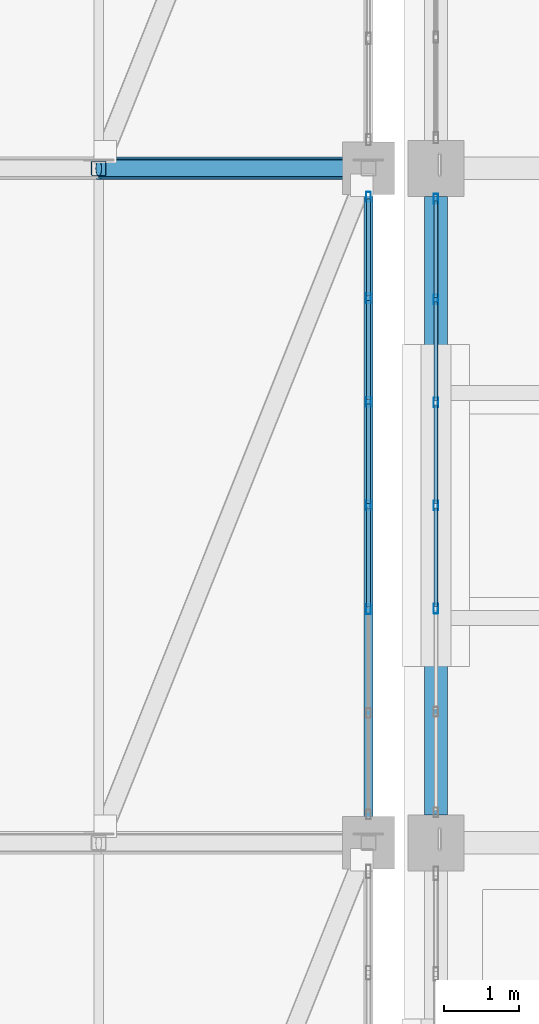
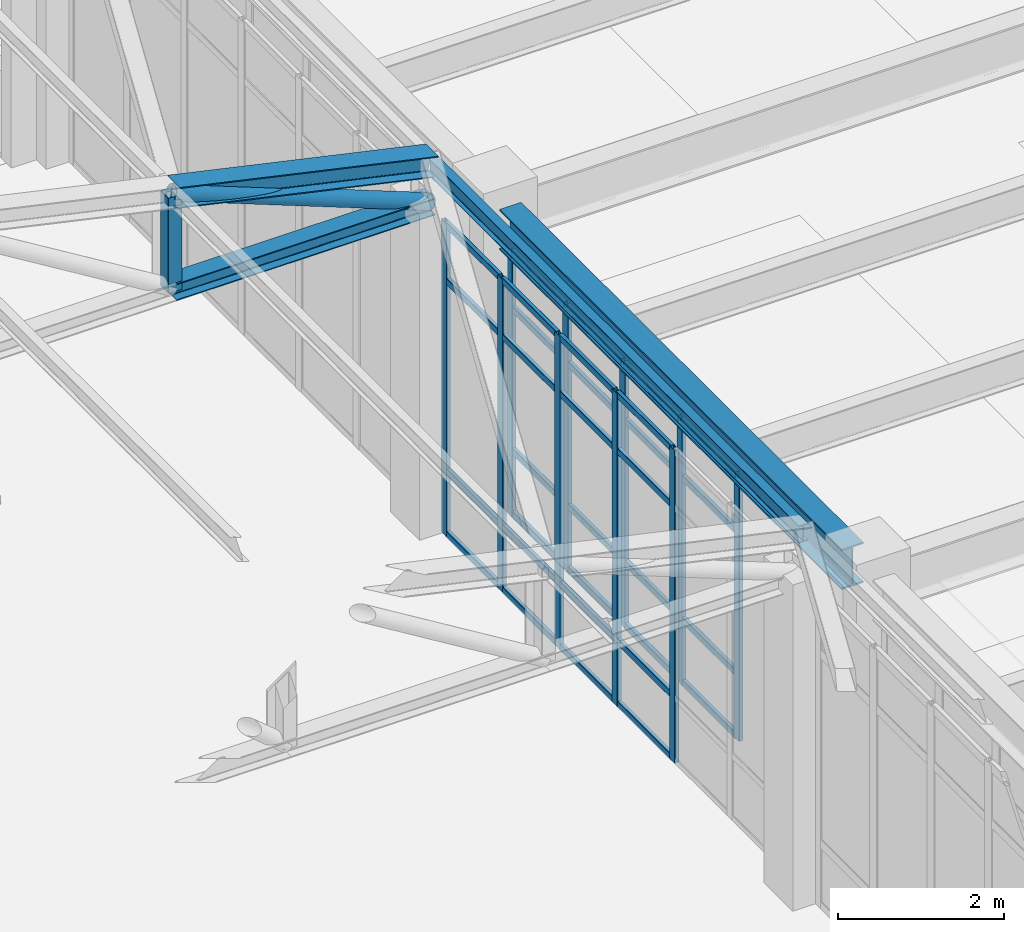
# One storey, part 49 of 139: 46 members, 2 beams, 2 elements without a shape of their own.
"""IFC4 building model written with IfcOpenShell, lengths in metres."""

from ifc_helpers import new_model, si_unit, direction, frame, origin, origin_2d, place, context, subcontext, project, spatial, hollow_rectangle, hollow_circle, i_section, extrude, material, material_profile, profile_set, type_object, element, aggregate, save


model = new_model("IFC4")

# Units and contexts
model_context = context("Model", 3, precision=1e-05, world=origin(), true_north=direction((0.0, 1.0)))
body_context = subcontext(model_context, "Body", "Model", "MODEL_VIEW")
ifc_project = project(units=[si_unit("LENGTHUNIT", "METRE"), si_unit("AREAUNIT", "SQUARE_METRE"), si_unit("VOLUMEUNIT", "CUBIC_METRE"), si_unit("PLANEANGLEUNIT", "RADIAN"), si_unit("MASSUNIT", "GRAM", prefix="KILO")], contexts=[model_context])

# Site, building, storey
site_placement = place(None, origin())
site = spatial("IfcSite", under=ifc_project, at=site_placement, CompositionType="ELEMENT")
building_placement = place(site_placement, origin())
building = spatial("IfcBuilding", under=site, at=building_placement, Name="Canglan Escarpment Cableway Terminal", CompositionType="ELEMENT")
storey_placement = place(building_placement, frame((0.0, 0.0, 14.39990234375)))
storey = spatial("IfcBuildingStorey", under=building, at=storey_placement, Name="L03", CompositionType="ELEMENT", Elevation=14.39990234375)

# Beams
ifc_material_1 = material(Name="Steel Q355C", Category="steel")
ifc_material_profile_1 = material_profile(ifc_material_1, i_section(OverallWidth=0.302001953125, OverallDepth=0.593994140625, WebThickness=0.013916015625, FlangeThickness=0.02294921875, FilletRadius=0.028076171875, at=origin_2d()), Name="HM 594x302x14x23")
ifc_profile_set_1 = profile_set([ifc_material_profile_1], Name="Steel Q355C")
beam_type_1 = type_object("IfcBeamType", Name="BM-HM594", PredefinedType="BEAM", material=ifc_profile_set_1)
beam_1_placement = place(storey_placement, frame((137.60009765625, 61.375, 4.203125), z_axis=(0.0, 1.0, 0.0), x_axis=(-1.0, 0.0, 0.0)))
element("IfcBeam", 1, at=beam_1_placement, inside=storey, type_object=beam_type_1, Name="Primary transverse girder B-07", PredefinedType="BEAM", context=body_context, shape_type="SweptSolid", body=[
    extrude(i_section(OverallWidth=0.302001953125, OverallDepth=0.593994140625, WebThickness=0.013916015625, FlangeThickness=0.02294921875, FilletRadius=0.028076171875, at=origin_2d()), origin(), (0.0, 0.0, 1.0), 8.25),
])
ifc_material_2 = material(Name="Steel Q355B", Category="steel")
ifc_material_profile_2 = material_profile(ifc_material_2, i_section(OverallWidth=0.300048828125, OverallDepth=0.300048828125, WebThickness=0.010009765625, FlangeThickness=0.014892578125, FilletRadius=0.01806640625, at=origin_2d()), Name="HW 300x300x10x15")
ifc_profile_set_2 = profile_set([ifc_material_profile_2], Name="Steel Q355B")
beam_type_2 = type_object("IfcBeamType", Name="BM-PRATT-TOP-HW300", PredefinedType="BEAM", material=ifc_profile_set_2)
beam_2_placement = place(storey_placement, frame((133.10009765625, 70.0, 6.050048828125), z_axis=(0.976182386713, 0.0, -0.216951487369), x_axis=(0.0, 1.0, 0.0)))
element("IfcBeam", 2, at=beam_2_placement, inside=storey, type_object=beam_type_2, Name="Cabin Garage ROOF TRUSS top chord PT-TC1", PredefinedType="BEAM", context=body_context, shape_type="SweptSolid", body=[
    extrude(i_section(OverallWidth=0.300048828125, OverallDepth=0.300048828125, WebThickness=0.010009765625, FlangeThickness=0.014892578125, FilletRadius=0.01806640625, at=origin_2d()), origin(), (0.0, 0.0, 1.0), 3.687744140625),
])

# Curtain wall, members
ifc_material_3 = material(Name="Anodized bronze aluminium and Low-E double glazing", Category="aluminium")
curtain_wall_type_1 = type_object("IfcCurtainWallType", Name="CW-BAY-8300x4600", PredefinedType="NOTDEFINED", material=ifc_material_3)
curtain_wall_1_placement = place(storey_placement, origin())
curtain_wall_1 = element("IfcCurtainWall", 3, at=curtain_wall_1_placement, inside=storey, type_object=curtain_wall_type_1, Name="Classical bay-between-piers glazed curtain wall CW-45", PredefinedType="NOTDEFINED")
ifc_material_4 = material(Name="Thermally broken anodized aluminium 6063-T6", Category="aluminium")
ifc_material_profile_3 = material_profile(ifc_material_4, hollow_rectangle(XDim=0.06005859375, YDim=0.1298828125, WallThickness=0.0029296875, InnerFilletRadius=0.0029296875, OuterFilletRadius=0.006103515625, at=origin_2d()), Name="ALU-MULL 60x130x3")
ifc_profile_set_3 = profile_set([ifc_material_profile_3], Name="Thermally broken anodized aluminium 6063-T6")
member_type_1 = type_object("IfcMemberType", Name="CWM-01", PredefinedType="MULLION", material=ifc_profile_set_3)
member_1_placement = place(storey_placement, frame((136.699951171875, 64.11669921875, 0.0), z_axis=(0.0, 0.0, 1.0), x_axis=(-1.0, 0.0, 0.0)))
member_1 = element("IfcMember", 4, at=member_1_placement, type_object=member_type_1, Name="CW-45 mullion 3", PredefinedType="MULLION", context=body_context, shape_type="SweptSolid", body=[
    extrude(hollow_rectangle(XDim=0.06005859375, YDim=0.1298828125, WallThickness=0.0029296875, InnerFilletRadius=0.0029296875, OuterFilletRadius=0.006103515625, at=origin_2d()), origin(), (0.0, 0.0, 1.0), 4.60009765625),
])
member_2_placement = place(storey_placement, frame((136.699951171875, 65.5, 0.0), z_axis=(0.0, 0.0, 1.0), x_axis=(-1.0, 0.0, 0.0)))
member_2 = element("IfcMember", 5, at=member_2_placement, type_object=member_type_1, Name="CW-45 mullion 4", PredefinedType="MULLION", context=body_context, shape_type="SweptSolid", body=[
    extrude(hollow_rectangle(XDim=0.06005859375, YDim=0.1298828125, WallThickness=0.0029296875, InnerFilletRadius=0.0029296875, OuterFilletRadius=0.006103515625, at=origin_2d()), origin(), (0.0, 0.0, 1.0), 4.60009765625),
])
member_3_placement = place(storey_placement, frame((136.699951171875, 66.88330078125, 0.0), z_axis=(0.0, 0.0, 1.0), x_axis=(-1.0, 0.0, 0.0)))
member_3 = element("IfcMember", 6, at=member_3_placement, type_object=member_type_1, Name="CW-45 mullion 5", PredefinedType="MULLION", context=body_context, shape_type="SweptSolid", body=[
    extrude(hollow_rectangle(XDim=0.06005859375, YDim=0.1298828125, WallThickness=0.0029296875, InnerFilletRadius=0.0029296875, OuterFilletRadius=0.006103515625, at=origin_2d()), origin(), (0.0, 0.0, 1.0), 4.60009765625),
])
member_4_placement = place(storey_placement, frame((136.699951171875, 68.2666015625, 0.0), z_axis=(0.0, 0.0, 1.0), x_axis=(-1.0, 0.0, 0.0)))
member_4 = element("IfcMember", 7, at=member_4_placement, type_object=member_type_1, Name="CW-45 mullion 6", PredefinedType="MULLION", context=body_context, shape_type="SweptSolid", body=[
    extrude(hollow_rectangle(XDim=0.06005859375, YDim=0.1298828125, WallThickness=0.0029296875, InnerFilletRadius=0.0029296875, OuterFilletRadius=0.006103515625, at=origin_2d()), origin(), (0.0, 0.0, 1.0), 4.60009765625),
])
member_5_placement = place(storey_placement, frame((136.699951171875, 69.6201171875, 0.0), z_axis=(0.0, 0.0, 1.0), x_axis=(-1.0, 0.0, 0.0)))
member_5 = element("IfcMember", 8, at=member_5_placement, type_object=member_type_1, Name="CW-45 mullion 7", PredefinedType="MULLION", context=body_context, shape_type="SweptSolid", body=[
    extrude(hollow_rectangle(XDim=0.06005859375, YDim=0.1298828125, WallThickness=0.0029296875, InnerFilletRadius=0.0029296875, OuterFilletRadius=0.006103515625, at=origin_2d()), origin(), (0.0, 0.0, 1.0), 4.60009765625),
])

curtain_wall_type_2 = type_object("IfcCurtainWallType", Name="CW-BAY-8250x3900", PredefinedType="NOTDEFINED", material=ifc_material_3)
curtain_wall_2_placement = place(storey_placement, origin())
curtain_wall_2 = element("IfcCurtainWall", 9, at=curtain_wall_2_placement, inside=storey, type_object=curtain_wall_type_2, Name="Classical bay-between-piers glazed curtain wall CW-62", PredefinedType="NOTDEFINED")
member_6_placement = place(storey_placement, frame((137.60009765625, 69.594970703125, 0.0), z_axis=(0.0, 0.0, 1.0), x_axis=(1.0, 0.0, 0.0)))
member_6 = element("IfcMember", 10, at=member_6_placement, type_object=member_type_1, Name="CW-62 mullion 1", PredefinedType="MULLION", context=body_context, shape_type="SweptSolid", body=[
    extrude(hollow_rectangle(XDim=0.06005859375, YDim=0.1298828125, WallThickness=0.0029296875, InnerFilletRadius=0.0029296875, OuterFilletRadius=0.006103515625, at=origin_2d()), origin(), (0.0, 0.0, 1.0), 3.89111328125),
])
member_7_placement = place(storey_placement, frame((137.60009765625, 68.25, 0.0), z_axis=(0.0, 0.0, 1.0), x_axis=(1.0, 0.0, 0.0)))
member_7 = element("IfcMember", 11, at=member_7_placement, type_object=member_type_1, Name="CW-62 mullion 2", PredefinedType="MULLION", context=body_context, shape_type="SweptSolid", body=[
    extrude(hollow_rectangle(XDim=0.06005859375, YDim=0.1298828125, WallThickness=0.0029296875, InnerFilletRadius=0.0029296875, OuterFilletRadius=0.006103515625, at=origin_2d()), origin(), (0.0, 0.0, 1.0), 3.89111328125),
])
member_8_placement = place(storey_placement, frame((137.60009765625, 66.875, 0.0), z_axis=(0.0, 0.0, 1.0), x_axis=(1.0, 0.0, 0.0)))
member_8 = element("IfcMember", 12, at=member_8_placement, type_object=member_type_1, Name="CW-62 mullion 3", PredefinedType="MULLION", context=body_context, shape_type="SweptSolid", body=[
    extrude(hollow_rectangle(XDim=0.06005859375, YDim=0.1298828125, WallThickness=0.0029296875, InnerFilletRadius=0.0029296875, OuterFilletRadius=0.006103515625, at=origin_2d()), origin(), (0.0, 0.0, 1.0), 3.89111328125),
])
member_9_placement = place(storey_placement, frame((137.60009765625, 65.5, 0.0), z_axis=(0.0, 0.0, 1.0), x_axis=(1.0, 0.0, 0.0)))
member_9 = element("IfcMember", 13, at=member_9_placement, type_object=member_type_1, Name="CW-62 mullion 4", PredefinedType="MULLION", context=body_context, shape_type="SweptSolid", body=[
    extrude(hollow_rectangle(XDim=0.06005859375, YDim=0.1298828125, WallThickness=0.0029296875, InnerFilletRadius=0.0029296875, OuterFilletRadius=0.006103515625, at=origin_2d()), origin(), (0.0, 0.0, 1.0), 3.89111328125),
])
member_10_placement = place(storey_placement, frame((137.60009765625, 64.125, 0.0), z_axis=(0.0, 0.0, 1.0), x_axis=(1.0, 0.0, 0.0)))
member_10 = element("IfcMember", 14, at=member_10_placement, type_object=member_type_1, Name="CW-62 mullion 5", PredefinedType="MULLION", context=body_context, shape_type="SweptSolid", body=[
    extrude(hollow_rectangle(XDim=0.06005859375, YDim=0.1298828125, WallThickness=0.0029296875, InnerFilletRadius=0.0029296875, OuterFilletRadius=0.006103515625, at=origin_2d()), origin(), (0.0, 0.0, 1.0), 3.89111328125),
])

# Member
ifc_material_profile_4 = material_profile(ifc_material_4, hollow_rectangle(XDim=0.054931640625, YDim=0.094970703125, WallThickness=0.0029296875, InnerFilletRadius=0.0029296875, OuterFilletRadius=0.006103515625, at=origin_2d()), Name="ALU-TRAN 55x95x3")
ifc_profile_set_4 = profile_set([ifc_material_profile_4], Name="Thermally broken anodized aluminium 6063-T6")
member_type_2 = type_object("IfcMemberType", Name="CWT-01", PredefinedType="USERDEFINED", material=ifc_profile_set_4)
member_11_placement = place(storey_placement, frame((136.699951171875, 64.146728515625, 0.027587890625), z_axis=(0.0, 1.0, 0.0), x_axis=(-1.0, 0.0, 0.0)))
member_11 = element("IfcMember", 15, at=member_11_placement, type_object=member_type_2, Name="CW-45 transom 3.1", ObjectType="TRANSOM", PredefinedType="USERDEFINED", context=body_context, shape_type="SweptSolid", body=[
    extrude(hollow_rectangle(XDim=0.054931640625, YDim=0.094970703125, WallThickness=0.0029296875, InnerFilletRadius=0.0029296875, OuterFilletRadius=0.006103515625, at=origin_2d()), origin(), (0.0, 0.0, 1.0), 1.3232421875),
])

member_12_placement = place(storey_placement, frame((136.699951171875, 64.146728515625, 0.9501953125), z_axis=(0.0, 1.0, 0.0), x_axis=(-1.0, 0.0, 0.0)))
member_12 = element("IfcMember", 16, at=member_12_placement, type_object=member_type_2, Name="CW-45 transom 3.2", ObjectType="TRANSOM", PredefinedType="USERDEFINED", context=body_context, shape_type="SweptSolid", body=[
    extrude(hollow_rectangle(XDim=0.054931640625, YDim=0.094970703125, WallThickness=0.0029296875, InnerFilletRadius=0.0029296875, OuterFilletRadius=0.006103515625, at=origin_2d()), origin(), (0.0, 0.0, 1.0), 1.3232421875),
])

member_13_placement = place(storey_placement, frame((136.699951171875, 64.146728515625, 3.75), z_axis=(0.0, 1.0, 0.0), x_axis=(-1.0, 0.0, 0.0)))
member_13 = element("IfcMember", 17, at=member_13_placement, type_object=member_type_2, Name="CW-45 transom 3.3", ObjectType="TRANSOM", PredefinedType="USERDEFINED", context=body_context, shape_type="SweptSolid", body=[
    extrude(hollow_rectangle(XDim=0.054931640625, YDim=0.094970703125, WallThickness=0.0029296875, InnerFilletRadius=0.0029296875, OuterFilletRadius=0.006103515625, at=origin_2d()), origin(), (0.0, 0.0, 1.0), 1.3232421875),
])

member_14_placement = place(storey_placement, frame((136.699951171875, 64.146728515625, 4.572509765625), z_axis=(0.0, 1.0, 0.0), x_axis=(-1.0, 0.0, 0.0)))
member_14 = element("IfcMember", 18, at=member_14_placement, type_object=member_type_2, Name="CW-45 transom 3.4", ObjectType="TRANSOM", PredefinedType="USERDEFINED", context=body_context, shape_type="SweptSolid", body=[
    extrude(hollow_rectangle(XDim=0.054931640625, YDim=0.094970703125, WallThickness=0.0029296875, InnerFilletRadius=0.0029296875, OuterFilletRadius=0.006103515625, at=origin_2d()), origin(), (0.0, 0.0, 1.0), 1.3232421875),
])

member_15_placement = place(storey_placement, frame((136.699951171875, 65.530029296875, 0.027587890625), z_axis=(0.0, 1.0, 0.0), x_axis=(-1.0, 0.0, 0.0)))
member_15 = element("IfcMember", 19, at=member_15_placement, type_object=member_type_2, Name="CW-45 transom 4.1", ObjectType="TRANSOM", PredefinedType="USERDEFINED", context=body_context, shape_type="SweptSolid", body=[
    extrude(hollow_rectangle(XDim=0.054931640625, YDim=0.094970703125, WallThickness=0.0029296875, InnerFilletRadius=0.0029296875, OuterFilletRadius=0.006103515625, at=origin_2d()), origin(), (0.0, 0.0, 1.0), 1.3232421875),
])

member_16_placement = place(storey_placement, frame((136.699951171875, 65.530029296875, 0.9501953125), z_axis=(0.0, 1.0, 0.0), x_axis=(-1.0, 0.0, 0.0)))
member_16 = element("IfcMember", 20, at=member_16_placement, type_object=member_type_2, Name="CW-45 transom 4.2", ObjectType="TRANSOM", PredefinedType="USERDEFINED", context=body_context, shape_type="SweptSolid", body=[
    extrude(hollow_rectangle(XDim=0.054931640625, YDim=0.094970703125, WallThickness=0.0029296875, InnerFilletRadius=0.0029296875, OuterFilletRadius=0.006103515625, at=origin_2d()), origin(), (0.0, 0.0, 1.0), 1.3232421875),
])

member_17_placement = place(storey_placement, frame((136.699951171875, 65.530029296875, 3.75), z_axis=(0.0, 1.0, 0.0), x_axis=(-1.0, 0.0, 0.0)))
member_17 = element("IfcMember", 21, at=member_17_placement, type_object=member_type_2, Name="CW-45 transom 4.3", ObjectType="TRANSOM", PredefinedType="USERDEFINED", context=body_context, shape_type="SweptSolid", body=[
    extrude(hollow_rectangle(XDim=0.054931640625, YDim=0.094970703125, WallThickness=0.0029296875, InnerFilletRadius=0.0029296875, OuterFilletRadius=0.006103515625, at=origin_2d()), origin(), (0.0, 0.0, 1.0), 1.3232421875),
])

member_18_placement = place(storey_placement, frame((136.699951171875, 65.530029296875, 4.572509765625), z_axis=(0.0, 1.0, 0.0), x_axis=(-1.0, 0.0, 0.0)))
member_18 = element("IfcMember", 22, at=member_18_placement, type_object=member_type_2, Name="CW-45 transom 4.4", ObjectType="TRANSOM", PredefinedType="USERDEFINED", context=body_context, shape_type="SweptSolid", body=[
    extrude(hollow_rectangle(XDim=0.054931640625, YDim=0.094970703125, WallThickness=0.0029296875, InnerFilletRadius=0.0029296875, OuterFilletRadius=0.006103515625, at=origin_2d()), origin(), (0.0, 0.0, 1.0), 1.3232421875),
])

member_19_placement = place(storey_placement, frame((136.699951171875, 66.913330078125, 0.027587890625), z_axis=(0.0, 1.0, 0.0), x_axis=(-1.0, 0.0, 0.0)))
member_19 = element("IfcMember", 23, at=member_19_placement, type_object=member_type_2, Name="CW-45 transom 5.1", ObjectType="TRANSOM", PredefinedType="USERDEFINED", context=body_context, shape_type="SweptSolid", body=[
    extrude(hollow_rectangle(XDim=0.054931640625, YDim=0.094970703125, WallThickness=0.0029296875, InnerFilletRadius=0.0029296875, OuterFilletRadius=0.006103515625, at=origin_2d()), origin(), (0.0, 0.0, 1.0), 1.3232421875),
])

member_20_placement = place(storey_placement, frame((136.699951171875, 66.913330078125, 0.9501953125), z_axis=(0.0, 1.0, 0.0), x_axis=(-1.0, 0.0, 0.0)))
member_20 = element("IfcMember", 24, at=member_20_placement, type_object=member_type_2, Name="CW-45 transom 5.2", ObjectType="TRANSOM", PredefinedType="USERDEFINED", context=body_context, shape_type="SweptSolid", body=[
    extrude(hollow_rectangle(XDim=0.054931640625, YDim=0.094970703125, WallThickness=0.0029296875, InnerFilletRadius=0.0029296875, OuterFilletRadius=0.006103515625, at=origin_2d()), origin(), (0.0, 0.0, 1.0), 1.3232421875),
])

member_21_placement = place(storey_placement, frame((136.699951171875, 66.913330078125, 3.75), z_axis=(0.0, 1.0, 0.0), x_axis=(-1.0, 0.0, 0.0)))
member_21 = element("IfcMember", 25, at=member_21_placement, type_object=member_type_2, Name="CW-45 transom 5.3", ObjectType="TRANSOM", PredefinedType="USERDEFINED", context=body_context, shape_type="SweptSolid", body=[
    extrude(hollow_rectangle(XDim=0.054931640625, YDim=0.094970703125, WallThickness=0.0029296875, InnerFilletRadius=0.0029296875, OuterFilletRadius=0.006103515625, at=origin_2d()), origin(), (0.0, 0.0, 1.0), 1.3232421875),
])

member_22_placement = place(storey_placement, frame((136.699951171875, 66.913330078125, 4.572509765625), z_axis=(0.0, 1.0, 0.0), x_axis=(-1.0, 0.0, 0.0)))
member_22 = element("IfcMember", 26, at=member_22_placement, type_object=member_type_2, Name="CW-45 transom 5.4", ObjectType="TRANSOM", PredefinedType="USERDEFINED", context=body_context, shape_type="SweptSolid", body=[
    extrude(hollow_rectangle(XDim=0.054931640625, YDim=0.094970703125, WallThickness=0.0029296875, InnerFilletRadius=0.0029296875, OuterFilletRadius=0.006103515625, at=origin_2d()), origin(), (0.0, 0.0, 1.0), 1.3232421875),
])

member_23_placement = place(storey_placement, frame((136.699951171875, 68.296630859375, 0.027587890625), z_axis=(0.0, 1.0, 0.0), x_axis=(-1.0, 0.0, 0.0)))
member_23 = element("IfcMember", 27, at=member_23_placement, type_object=member_type_2, Name="CW-45 transom 6.1", ObjectType="TRANSOM", PredefinedType="USERDEFINED", context=body_context, shape_type="SweptSolid", body=[
    extrude(hollow_rectangle(XDim=0.054931640625, YDim=0.094970703125, WallThickness=0.0029296875, InnerFilletRadius=0.0029296875, OuterFilletRadius=0.006103515625, at=origin_2d()), origin(), (0.0, 0.0, 1.0), 1.29345703125),
])

member_24_placement = place(storey_placement, frame((136.699951171875, 68.296630859375, 0.9501953125), z_axis=(0.0, 1.0, 0.0), x_axis=(-1.0, 0.0, 0.0)))
member_24 = element("IfcMember", 28, at=member_24_placement, type_object=member_type_2, Name="CW-45 transom 6.2", ObjectType="TRANSOM", PredefinedType="USERDEFINED", context=body_context, shape_type="SweptSolid", body=[
    extrude(hollow_rectangle(XDim=0.054931640625, YDim=0.094970703125, WallThickness=0.0029296875, InnerFilletRadius=0.0029296875, OuterFilletRadius=0.006103515625, at=origin_2d()), origin(), (0.0, 0.0, 1.0), 1.29345703125),
])

member_25_placement = place(storey_placement, frame((136.699951171875, 68.296630859375, 3.75), z_axis=(0.0, 1.0, 0.0), x_axis=(-1.0, 0.0, 0.0)))
member_25 = element("IfcMember", 29, at=member_25_placement, type_object=member_type_2, Name="CW-45 transom 6.3", ObjectType="TRANSOM", PredefinedType="USERDEFINED", context=body_context, shape_type="SweptSolid", body=[
    extrude(hollow_rectangle(XDim=0.054931640625, YDim=0.094970703125, WallThickness=0.0029296875, InnerFilletRadius=0.0029296875, OuterFilletRadius=0.006103515625, at=origin_2d()), origin(), (0.0, 0.0, 1.0), 1.29345703125),
])

member_26_placement = place(storey_placement, frame((136.699951171875, 68.296630859375, 4.572509765625), z_axis=(0.0, 1.0, 0.0), x_axis=(-1.0, 0.0, 0.0)))
member_26 = element("IfcMember", 30, at=member_26_placement, type_object=member_type_2, Name="CW-45 transom 6.4", ObjectType="TRANSOM", PredefinedType="USERDEFINED", context=body_context, shape_type="SweptSolid", body=[
    extrude(hollow_rectangle(XDim=0.054931640625, YDim=0.094970703125, WallThickness=0.0029296875, InnerFilletRadius=0.0029296875, OuterFilletRadius=0.006103515625, at=origin_2d()), origin(), (0.0, 0.0, 1.0), 1.29345703125),
])

aggregate(curtain_wall_1, [member_1, member_2, member_3, member_4, member_5, member_11, member_12, member_13, member_14, member_15, member_16, member_17, member_18, member_19, member_20, member_21, member_22, member_23, member_24, member_25, member_26])

member_27_placement = place(storey_placement, frame((137.60009765625, 69.56494140625, 0.027587890625), z_axis=(0.0, -1.0, 0.0), x_axis=(1.0, 0.0, 0.0)))
member_27 = element("IfcMember", 31, at=member_27_placement, type_object=member_type_2, Name="CW-62 transom 1.1", ObjectType="TRANSOM", PredefinedType="USERDEFINED", context=body_context, shape_type="SweptSolid", body=[
    extrude(hollow_rectangle(XDim=0.054931640625, YDim=0.094970703125, WallThickness=0.0029296875, InnerFilletRadius=0.0029296875, OuterFilletRadius=0.006103515625, at=origin_2d()), origin(), (0.0, 0.0, 1.0), 1.284912109375),
])

member_28_placement = place(storey_placement, frame((137.60009765625, 69.56494140625, 0.9501953125), z_axis=(0.0, -1.0, 0.0), x_axis=(1.0, 0.0, 0.0)))
member_28 = element("IfcMember", 32, at=member_28_placement, type_object=member_type_2, Name="CW-62 transom 1.2", ObjectType="TRANSOM", PredefinedType="USERDEFINED", context=body_context, shape_type="SweptSolid", body=[
    extrude(hollow_rectangle(XDim=0.054931640625, YDim=0.094970703125, WallThickness=0.0029296875, InnerFilletRadius=0.0029296875, OuterFilletRadius=0.006103515625, at=origin_2d()), origin(), (0.0, 0.0, 1.0), 1.284912109375),
])

member_29_placement = place(storey_placement, frame((137.60009765625, 69.56494140625, 3.041015625), z_axis=(0.0, -1.0, 0.0), x_axis=(1.0, 0.0, 0.0)))
member_29 = element("IfcMember", 33, at=member_29_placement, type_object=member_type_2, Name="CW-62 transom 1.3", ObjectType="TRANSOM", PredefinedType="USERDEFINED", context=body_context, shape_type="SweptSolid", body=[
    extrude(hollow_rectangle(XDim=0.054931640625, YDim=0.094970703125, WallThickness=0.0029296875, InnerFilletRadius=0.0029296875, OuterFilletRadius=0.006103515625, at=origin_2d()), origin(), (0.0, 0.0, 1.0), 1.284912109375),
])

member_30_placement = place(storey_placement, frame((137.60009765625, 69.56494140625, 3.863525390625), z_axis=(0.0, -1.0, 0.0), x_axis=(1.0, 0.0, 0.0)))
member_30 = element("IfcMember", 34, at=member_30_placement, type_object=member_type_2, Name="CW-62 transom 1.4", ObjectType="TRANSOM", PredefinedType="USERDEFINED", context=body_context, shape_type="SweptSolid", body=[
    extrude(hollow_rectangle(XDim=0.054931640625, YDim=0.094970703125, WallThickness=0.0029296875, InnerFilletRadius=0.0029296875, OuterFilletRadius=0.006103515625, at=origin_2d()), origin(), (0.0, 0.0, 1.0), 1.284912109375),
])

member_31_placement = place(storey_placement, frame((137.60009765625, 68.219970703125, 0.027587890625), z_axis=(0.0, -1.0, 0.0), x_axis=(1.0, 0.0, 0.0)))
member_31 = element("IfcMember", 35, at=member_31_placement, type_object=member_type_2, Name="CW-62 transom 2.1", ObjectType="TRANSOM", PredefinedType="USERDEFINED", context=body_context, shape_type="SweptSolid", body=[
    extrude(hollow_rectangle(XDim=0.054931640625, YDim=0.094970703125, WallThickness=0.0029296875, InnerFilletRadius=0.0029296875, OuterFilletRadius=0.006103515625, at=origin_2d()), origin(), (0.0, 0.0, 1.0), 1.31494140625),
])

member_32_placement = place(storey_placement, frame((137.60009765625, 68.219970703125, 0.9501953125), z_axis=(0.0, -1.0, 0.0), x_axis=(1.0, 0.0, 0.0)))
member_32 = element("IfcMember", 36, at=member_32_placement, type_object=member_type_2, Name="CW-62 transom 2.2", ObjectType="TRANSOM", PredefinedType="USERDEFINED", context=body_context, shape_type="SweptSolid", body=[
    extrude(hollow_rectangle(XDim=0.054931640625, YDim=0.094970703125, WallThickness=0.0029296875, InnerFilletRadius=0.0029296875, OuterFilletRadius=0.006103515625, at=origin_2d()), origin(), (0.0, 0.0, 1.0), 1.31494140625),
])

member_33_placement = place(storey_placement, frame((137.60009765625, 68.219970703125, 3.041015625), z_axis=(0.0, -1.0, 0.0), x_axis=(1.0, 0.0, 0.0)))
member_33 = element("IfcMember", 37, at=member_33_placement, type_object=member_type_2, Name="CW-62 transom 2.3", ObjectType="TRANSOM", PredefinedType="USERDEFINED", context=body_context, shape_type="SweptSolid", body=[
    extrude(hollow_rectangle(XDim=0.054931640625, YDim=0.094970703125, WallThickness=0.0029296875, InnerFilletRadius=0.0029296875, OuterFilletRadius=0.006103515625, at=origin_2d()), origin(), (0.0, 0.0, 1.0), 1.31494140625),
])

member_34_placement = place(storey_placement, frame((137.60009765625, 68.219970703125, 3.863525390625), z_axis=(0.0, -1.0, 0.0), x_axis=(1.0, 0.0, 0.0)))
member_34 = element("IfcMember", 38, at=member_34_placement, type_object=member_type_2, Name="CW-62 transom 2.4", ObjectType="TRANSOM", PredefinedType="USERDEFINED", context=body_context, shape_type="SweptSolid", body=[
    extrude(hollow_rectangle(XDim=0.054931640625, YDim=0.094970703125, WallThickness=0.0029296875, InnerFilletRadius=0.0029296875, OuterFilletRadius=0.006103515625, at=origin_2d()), origin(), (0.0, 0.0, 1.0), 1.31494140625),
])

member_35_placement = place(storey_placement, frame((137.60009765625, 66.844970703125, 0.027587890625), z_axis=(0.0, -1.0, 0.0), x_axis=(1.0, 0.0, 0.0)))
member_35 = element("IfcMember", 39, at=member_35_placement, type_object=member_type_2, Name="CW-62 transom 3.1", ObjectType="TRANSOM", PredefinedType="USERDEFINED", context=body_context, shape_type="SweptSolid", body=[
    extrude(hollow_rectangle(XDim=0.054931640625, YDim=0.094970703125, WallThickness=0.0029296875, InnerFilletRadius=0.0029296875, OuterFilletRadius=0.006103515625, at=origin_2d()), origin(), (0.0, 0.0, 1.0), 1.31494140625),
])

member_36_placement = place(storey_placement, frame((137.60009765625, 66.844970703125, 0.9501953125), z_axis=(0.0, -1.0, 0.0), x_axis=(1.0, 0.0, 0.0)))
member_36 = element("IfcMember", 40, at=member_36_placement, type_object=member_type_2, Name="CW-62 transom 3.2", ObjectType="TRANSOM", PredefinedType="USERDEFINED", context=body_context, shape_type="SweptSolid", body=[
    extrude(hollow_rectangle(XDim=0.054931640625, YDim=0.094970703125, WallThickness=0.0029296875, InnerFilletRadius=0.0029296875, OuterFilletRadius=0.006103515625, at=origin_2d()), origin(), (0.0, 0.0, 1.0), 1.31494140625),
])

member_37_placement = place(storey_placement, frame((137.60009765625, 66.844970703125, 3.041015625), z_axis=(0.0, -1.0, 0.0), x_axis=(1.0, 0.0, 0.0)))
member_37 = element("IfcMember", 41, at=member_37_placement, type_object=member_type_2, Name="CW-62 transom 3.3", ObjectType="TRANSOM", PredefinedType="USERDEFINED", context=body_context, shape_type="SweptSolid", body=[
    extrude(hollow_rectangle(XDim=0.054931640625, YDim=0.094970703125, WallThickness=0.0029296875, InnerFilletRadius=0.0029296875, OuterFilletRadius=0.006103515625, at=origin_2d()), origin(), (0.0, 0.0, 1.0), 1.31494140625),
])

member_38_placement = place(storey_placement, frame((137.60009765625, 66.844970703125, 3.863525390625), z_axis=(0.0, -1.0, 0.0), x_axis=(1.0, 0.0, 0.0)))
member_38 = element("IfcMember", 42, at=member_38_placement, type_object=member_type_2, Name="CW-62 transom 3.4", ObjectType="TRANSOM", PredefinedType="USERDEFINED", context=body_context, shape_type="SweptSolid", body=[
    extrude(hollow_rectangle(XDim=0.054931640625, YDim=0.094970703125, WallThickness=0.0029296875, InnerFilletRadius=0.0029296875, OuterFilletRadius=0.006103515625, at=origin_2d()), origin(), (0.0, 0.0, 1.0), 1.31494140625),
])

member_39_placement = place(storey_placement, frame((137.60009765625, 65.469970703125, 0.027587890625), z_axis=(0.0, -1.0, 0.0), x_axis=(1.0, 0.0, 0.0)))
member_39 = element("IfcMember", 43, at=member_39_placement, type_object=member_type_2, Name="CW-62 transom 4.1", ObjectType="TRANSOM", PredefinedType="USERDEFINED", context=body_context, shape_type="SweptSolid", body=[
    extrude(hollow_rectangle(XDim=0.054931640625, YDim=0.094970703125, WallThickness=0.0029296875, InnerFilletRadius=0.0029296875, OuterFilletRadius=0.006103515625, at=origin_2d()), origin(), (0.0, 0.0, 1.0), 1.31494140625),
])

member_40_placement = place(storey_placement, frame((137.60009765625, 65.469970703125, 0.9501953125), z_axis=(0.0, -1.0, 0.0), x_axis=(1.0, 0.0, 0.0)))
member_40 = element("IfcMember", 44, at=member_40_placement, type_object=member_type_2, Name="CW-62 transom 4.2", ObjectType="TRANSOM", PredefinedType="USERDEFINED", context=body_context, shape_type="SweptSolid", body=[
    extrude(hollow_rectangle(XDim=0.054931640625, YDim=0.094970703125, WallThickness=0.0029296875, InnerFilletRadius=0.0029296875, OuterFilletRadius=0.006103515625, at=origin_2d()), origin(), (0.0, 0.0, 1.0), 1.31494140625),
])

member_41_placement = place(storey_placement, frame((137.60009765625, 65.469970703125, 3.041015625), z_axis=(0.0, -1.0, 0.0), x_axis=(1.0, 0.0, 0.0)))
member_41 = element("IfcMember", 45, at=member_41_placement, type_object=member_type_2, Name="CW-62 transom 4.3", ObjectType="TRANSOM", PredefinedType="USERDEFINED", context=body_context, shape_type="SweptSolid", body=[
    extrude(hollow_rectangle(XDim=0.054931640625, YDim=0.094970703125, WallThickness=0.0029296875, InnerFilletRadius=0.0029296875, OuterFilletRadius=0.006103515625, at=origin_2d()), origin(), (0.0, 0.0, 1.0), 1.31494140625),
])

member_42_placement = place(storey_placement, frame((137.60009765625, 65.469970703125, 3.863525390625), z_axis=(0.0, -1.0, 0.0), x_axis=(1.0, 0.0, 0.0)))
member_42 = element("IfcMember", 46, at=member_42_placement, type_object=member_type_2, Name="CW-62 transom 4.4", ObjectType="TRANSOM", PredefinedType="USERDEFINED", context=body_context, shape_type="SweptSolid", body=[
    extrude(hollow_rectangle(XDim=0.054931640625, YDim=0.094970703125, WallThickness=0.0029296875, InnerFilletRadius=0.0029296875, OuterFilletRadius=0.006103515625, at=origin_2d()), origin(), (0.0, 0.0, 1.0), 1.31494140625),
])

aggregate(curtain_wall_2, [member_6, member_7, member_8, member_9, member_10, member_27, member_28, member_29, member_30, member_31, member_32, member_33, member_34, member_35, member_36, member_37, member_38, member_39, member_40, member_41, member_42])

# Members
ifc_material_profile_5 = material_profile(ifc_material_2, i_section(OverallWidth=0.125, OverallDepth=0.25, WebThickness=0.006103515625, FlangeThickness=0.009033203125, FilletRadius=0.011962890625, at=origin_2d()), Name="HN 250x125x6x9")
ifc_profile_set_5 = profile_set([ifc_material_profile_5], Name="Steel Q355B")
member_type_3 = type_object("IfcMemberType", Name="MB-GARAGE-PUR-HN250", PredefinedType="PURLIN", material=ifc_profile_set_5)
member_43_placement = place(storey_placement, frame((136.699951171875, 61.0, 5.22998046875), z_axis=(0.0, 1.0, 0.0), x_axis=(-1.0, 0.0, 0.0)))
element("IfcMember", 47, at=member_43_placement, inside=storey, type_object=member_type_3, Name="Cabin Garage roof purlin PR-02", PredefinedType="PURLIN", context=body_context, shape_type="SweptSolid", body=[
    extrude(i_section(OverallWidth=0.125, OverallDepth=0.25, WebThickness=0.006103515625, FlangeThickness=0.009033203125, FilletRadius=0.011962890625, at=origin_2d()), origin(), (0.0, 0.0, 1.0), 9.0),
])
ifc_material_profile_6 = material_profile(ifc_material_2, i_section(OverallWidth=0.25, OverallDepth=0.25, WebThickness=0.009033203125, FlangeThickness=0.013916015625, FilletRadius=0.01611328125, at=origin_2d()), Name="HW 250x250x9x14")
ifc_profile_set_6 = profile_set([ifc_material_profile_6], Name="Steel Q355B")
member_type_4 = type_object("IfcMemberType", Name="MB-PRATT-BOT-HW250", PredefinedType="CHORD", material=ifc_profile_set_6)
member_44_placement = place(storey_placement, frame((133.10009765625, 70.0, 4.650146484375), z_axis=(1.0, 0.0, 0.0), x_axis=(0.0, 1.0, 0.0)))
element("IfcMember", 48, at=member_44_placement, inside=storey, type_object=member_type_4, Name="Cabin Garage ROOF TRUSS bottom chord PT-BC1", PredefinedType="CHORD", context=body_context, shape_type="SweptSolid", body=[
    extrude(i_section(OverallWidth=0.25, OverallDepth=0.25, WebThickness=0.009033203125, FlangeThickness=0.013916015625, FilletRadius=0.01611328125, at=origin_2d()), origin(), (0.0, 0.0, 1.0), 3.599853515625),
])
ifc_material_profile_7 = material_profile(ifc_material_2, hollow_circle(Radius=0.109619140625, WallThickness=0.008056640625, at=origin_2d()), Name="CHS 219.1x8")
ifc_profile_set_7 = profile_set([ifc_material_profile_7], Name="Steel Q355B")
member_type_5 = type_object("IfcMemberType", Name="MB-PRATT-DIAG-CHS219", PredefinedType="BRACE", material=ifc_profile_set_7)
member_45_placement = place(storey_placement, frame((133.10009765625, 70.0, 6.050048828125), z_axis=(0.932008230148, 0.0, -0.36243711032), x_axis=(0.0, 1.0, 0.0)))
element("IfcMember", 49, at=member_45_placement, inside=storey, type_object=member_type_5, Name="Cabin Garage ROOF TRUSS diagonal PT-DG1", PredefinedType="BRACE", context=body_context, shape_type="SweptSolid", body=[
    extrude(hollow_circle(Radius=0.109619140625, WallThickness=0.008056640625, at=origin_2d()), origin(), (0.0, 0.0, 1.0), 3.862548828125),
])
ifc_material_profile_8 = material_profile(ifc_material_2, hollow_rectangle(XDim=0.199951171875, YDim=0.199951171875, WallThickness=0.008056640625, InnerFilletRadius=0.008056640625, OuterFilletRadius=0.01611328125, at=origin_2d()), Name="SHS 200x200x8")
ifc_profile_set_8 = profile_set([ifc_material_profile_8], Name="Steel Q355B")
member_type_6 = type_object("IfcMemberType", Name="MB-PRATT-WEB-SHS200", PredefinedType="BRACE", material=ifc_profile_set_8)
member_46_placement = place(storey_placement, frame((133.10009765625, 70.0, 4.650146484375), z_axis=(0.0, 0.0, 1.0), x_axis=(1.0, 0.0, 0.0)))
element("IfcMember", 50, at=member_46_placement, inside=storey, type_object=member_type_6, Name="Cabin Garage ROOF TRUSS strut PT-WB1", PredefinedType="BRACE", context=body_context, shape_type="SweptSolid", body=[
    extrude(hollow_rectangle(XDim=0.199951171875, YDim=0.199951171875, WallThickness=0.008056640625, InnerFilletRadius=0.008056640625, OuterFilletRadius=0.01611328125, at=origin_2d()), origin(), (0.0, 0.0, 1.0), 1.39990234375),
])

save(model, "model.ifc")
